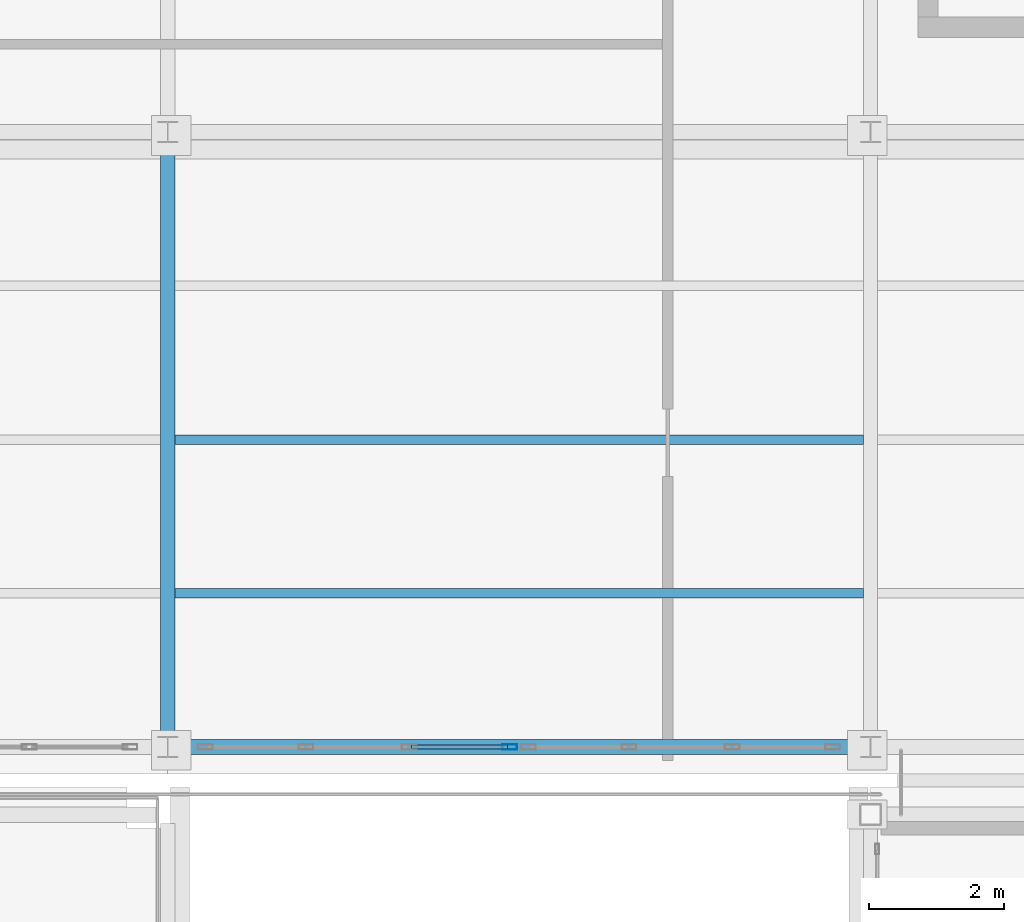
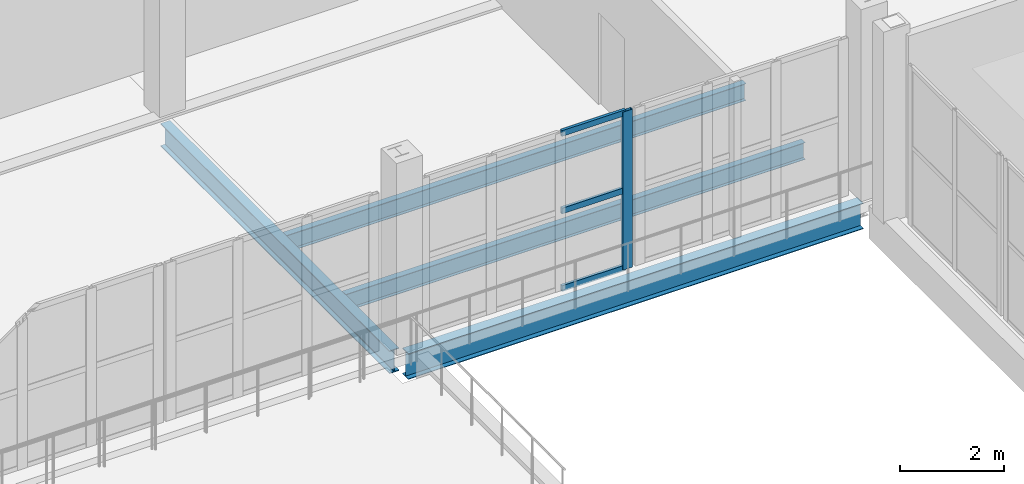
# One storey, part 87 of 156: 4 beams, 4 members, 1 element without a shape of its own.
"""IFC4 building model written with IfcOpenShell, lengths in metres."""

from ifc_helpers import new_model, si_unit, direction, frame, origin, origin_2d, place, context, subcontext, project, spatial, hollow_rectangle, i_section, extrude, material, material_profile, profile_set, type_object, element, aggregate, save


model = new_model("IFC4")

# Units and contexts
model_context = context("Model", 3, precision=1e-05, world=origin(), true_north=direction((0.0, 1.0)))
body_context = subcontext(model_context, "Body", "Model", "MODEL_VIEW")
ifc_project = project(units=[si_unit("LENGTHUNIT", "METRE"), si_unit("AREAUNIT", "SQUARE_METRE"), si_unit("VOLUMEUNIT", "CUBIC_METRE"), si_unit("PLANEANGLEUNIT", "RADIAN"), si_unit("MASSUNIT", "GRAM", prefix="KILO")], contexts=[model_context])

# Site, building, storey
site_placement = place(None, origin())
site = spatial("IfcSite", under=ifc_project, at=site_placement, CompositionType="ELEMENT")
building_placement = place(site_placement, origin())
building = spatial("IfcBuilding", under=site, at=building_placement, Name="Caurita Quay Ferry Terminal", CompositionType="ELEMENT")
storey_placement = place(building_placement, frame((0.0, 0.0, 5.39990234375)))
storey = spatial("IfcBuildingStorey", under=building, at=storey_placement, Name="L01", CompositionType="ELEMENT", Elevation=5.39990234375)

# Beams
ifc_material_1 = material(Name="Structural steel ASTM A992 Gr. 50", Category="steel")
ifc_material_profile_1 = material_profile(ifc_material_1, i_section(OverallWidth=0.210693359375, OverallDepth=0.53857421875, WebThickness=0.01171875, FlangeThickness=0.018798828125, FilletRadius=0.013916015625, at=origin_2d()), Name="W21X73")
ifc_profile_set_1 = profile_set([ifc_material_profile_1], Name="Structural steel ASTM A992 Gr. 50")
beam_type_1 = type_object("IfcBeamType", Name="BM-GR-W21A", PredefinedType="BEAM", material=ifc_profile_set_1)
beam_1_placement = place(storey_placement, frame((153.199951171875, 34.75439453125, -0.504150390625), z_axis=(0.0, 1.0, 0.0), x_axis=(-1.0, 0.0, 0.0)))
element("IfcBeam", 1, at=beam_1_placement, inside=storey, type_object=beam_type_1, Name="L01 Beam BM-V3H-L01-Y-1532-348", PredefinedType="BEAM", context=body_context, shape_type="SweptSolid", body=[
    extrude(i_section(OverallWidth=0.210693359375, OverallDepth=0.53857421875, WebThickness=0.01171875, FlangeThickness=0.018798828125, FilletRadius=0.013916015625, at=origin_2d()), origin(), (0.0, 0.0, 1.0), 8.791259765625),
])
ifc_material_profile_2 = material_profile(ifc_material_1, i_section(OverallWidth=0.22802734375, OverallDepth=0.60205078125, WebThickness=0.010498046875, FlangeThickness=0.014892578125, at=origin_2d()), Name="W24X68")
ifc_profile_set_2 = profile_set([ifc_material_profile_2], Name="Structural steel ASTM A992 Gr. 50")
beam_type_2 = type_object("IfcBeamType", Name="BM-GR-W24C", PredefinedType="BEAM", material=ifc_profile_set_2)
beam_2_placement = place(storey_placement, frame((153.357666015625, 34.60009765625, -0.535888671875), z_axis=(1.0, 0.0, 0.0), x_axis=(0.0, 1.0, 0.0)))
element("IfcBeam", 2, at=beam_2_placement, inside=storey, type_object=beam_type_2, Name="L01 Beam BM-V3H-L01-X-1534-346", PredefinedType="BEAM", context=body_context, shape_type="SweptSolid", body=[
    extrude(i_section(OverallWidth=0.22802734375, OverallDepth=0.60205078125, WebThickness=0.010498046875, FlangeThickness=0.014892578125, at=origin_2d()), origin(), (0.0, 0.0, 1.0), 10.084716796875),
])
ifc_material_profile_3 = material_profile(ifc_material_1, i_section(OverallWidth=0.139892578125, OverallDepth=0.39892578125, WebThickness=0.00634765625, FlangeThickness=0.0087890625, at=origin_2d()), Name="W16X26")
ifc_profile_set_3 = profile_set([ifc_material_profile_3], Name="Structural steel ASTM A992 Gr. 50")
beam_type_3 = type_object("IfcBeamType", Name="BM-JS-W16C", PredefinedType="JOIST", material=ifc_profile_set_3)
for number, where, z_axis, x_axis, name in (
    (3, (153.305419921875, 36.875, -0.434326171875), (1.0, 0.0, 0.0), (0.0, 1.0, 0.0), "L01 Beam JS-V3H-L01-021"),
    (4, (153.305419921875, 39.14990234375, -0.434326171875), (1.0, 0.0, 0.0), (0.0, 1.0, 0.0), "L01 Beam JS-V3H-L01-022"),
):
    element("IfcBeam", number, at=place(storey_placement, frame(where, z_axis=z_axis, x_axis=x_axis)), inside=storey, type_object=beam_type_3, Name=name, PredefinedType="JOIST", context=body_context, shape_type="SweptSolid", body=[
        extrude(i_section(OverallWidth=0.139892578125, OverallDepth=0.39892578125, WebThickness=0.00634765625, FlangeThickness=0.0087890625, at=origin_2d()), origin(), (0.0, 0.0, 1.0), 10.189208984375),
    ])

# Curtain wall, members
ifc_material_2 = material(Name="Laminated solar-control insulated glass", Category="glass")
curtain_wall_type = type_object("IfcCurtainWallType", Name="CW-SYS-10", PredefinedType="NOTDEFINED", material=ifc_material_2)
curtain_wall_placement = place(storey_placement, origin())
curtain_wall = element("IfcCurtainWall", 5, at=curtain_wall_placement, inside=storey, type_object=curtain_wall_type, Name="V3 Waterside Concourse Curtain Wall 075", PredefinedType="NOTDEFINED")
ifc_material_3 = material(Name="Anodized aluminium 6063-T6", Category="aluminium")
ifc_material_profile_4 = material_profile(ifc_material_3, hollow_rectangle(XDim=0.074951171875, YDim=0.219970703125, WallThickness=0.00390625, at=origin_2d()), Name="ALU-MUL-75X220")
ifc_profile_set_4 = profile_set([ifc_material_profile_4], Name="Anodized aluminium 6063-T6")
member_type_1 = type_object("IfcMemberType", Name="CW-MUL-220", PredefinedType="MULLION", material=ifc_profile_set_4)
member_1_placement = place(storey_placement, frame((158.262451171875, 34.60009765625, 0.0), z_axis=(0.0, 0.0, 1.0), x_axis=(0.0, 1.0, 0.0)))
member_1 = element("IfcMember", 6, at=member_1_placement, type_object=member_type_1, Name="CW-SEA-075 Mullion 4", PredefinedType="MULLION", context=body_context, shape_type="SweptSolid", body=[
    extrude(hollow_rectangle(XDim=0.074951171875, YDim=0.219970703125, WallThickness=0.00390625, at=origin_2d()), origin(), (0.0, 0.0, 1.0), 3.7001953125),
])
ifc_material_profile_5 = material_profile(ifc_material_3, hollow_rectangle(XDim=0.06494140625, YDim=0.135009765625, WallThickness=0.00341796875, at=origin_2d()), Name="ALU-TRN-65X135")
ifc_profile_set_5 = profile_set([ifc_material_profile_5], Name="Anodized aluminium 6063-T6")
member_type_2 = type_object("IfcMemberType", Name="CW-TRN-135", PredefinedType="USERDEFINED", material=ifc_profile_set_5)
member_2_placement = place(storey_placement, frame((156.808837890625, 34.60009765625, 0.03271484375), z_axis=(1.0, 0.0, 0.0), x_axis=(0.0, 1.0, 0.0)))
member_2 = element("IfcMember", 7, at=member_2_placement, type_object=member_type_2, Name="CW-SEA-075 Transom 7", ObjectType="TRANSOM", PredefinedType="USERDEFINED", context=body_context, shape_type="SweptSolid", body=[
    extrude(hollow_rectangle(XDim=0.06494140625, YDim=0.135009765625, WallThickness=0.00341796875, at=origin_2d()), origin(), (0.0, 0.0, 1.0), 1.418212890625),
])
member_3_placement = place(storey_placement, frame((156.808837890625, 34.60009765625, 1.85009765625), z_axis=(1.0, 0.0, 0.0), x_axis=(0.0, 1.0, 0.0)))
member_3 = element("IfcMember", 8, at=member_3_placement, type_object=member_type_2, Name="CW-SEA-075 Transom 8", ObjectType="TRANSOM", PredefinedType="USERDEFINED", context=body_context, shape_type="SweptSolid", body=[
    extrude(hollow_rectangle(XDim=0.06494140625, YDim=0.135009765625, WallThickness=0.00341796875, at=origin_2d()), origin(), (0.0, 0.0, 1.0), 1.418212890625),
])
member_4_placement = place(storey_placement, frame((156.808837890625, 34.60009765625, 3.66748046875), z_axis=(1.0, 0.0, 0.0), x_axis=(0.0, 1.0, 0.0)))
member_4 = element("IfcMember", 9, at=member_4_placement, type_object=member_type_2, Name="CW-SEA-075 Transom 9", ObjectType="TRANSOM", PredefinedType="USERDEFINED", context=body_context, shape_type="SweptSolid", body=[
    extrude(hollow_rectangle(XDim=0.06494140625, YDim=0.135009765625, WallThickness=0.00341796875, at=origin_2d()), origin(), (0.0, 0.0, 1.0), 1.418212890625),
])
aggregate(curtain_wall, [member_1, member_2, member_3, member_4])

save(model, "model.ifc")
